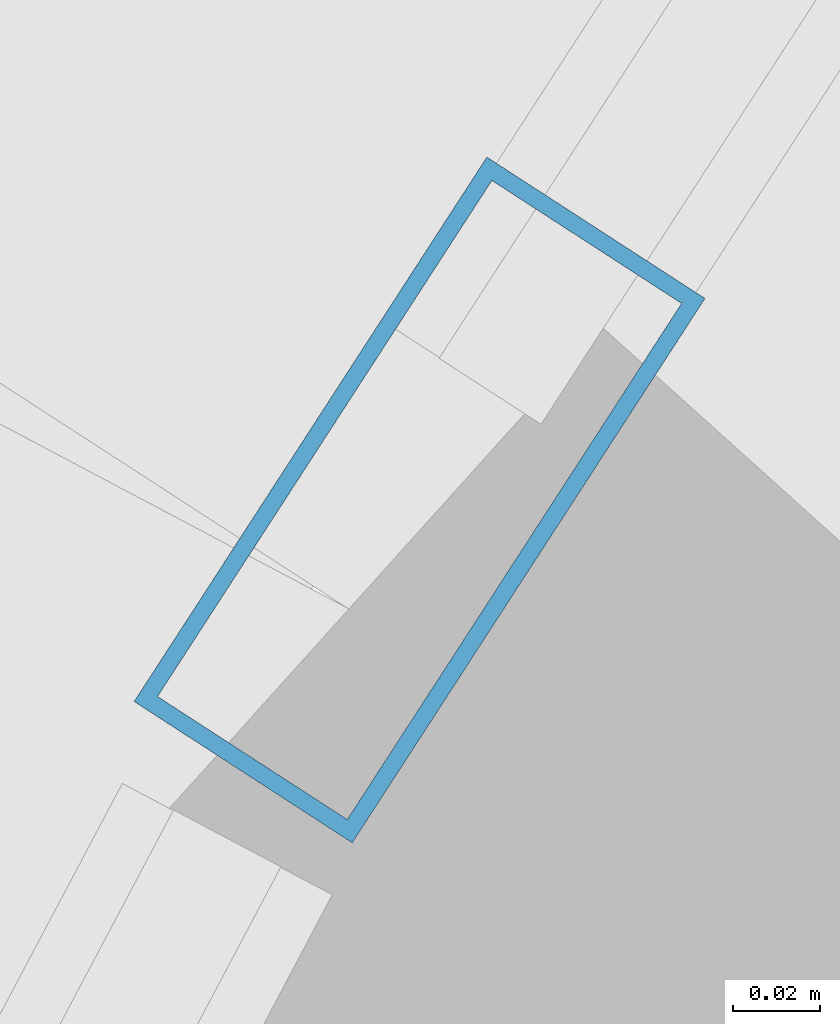
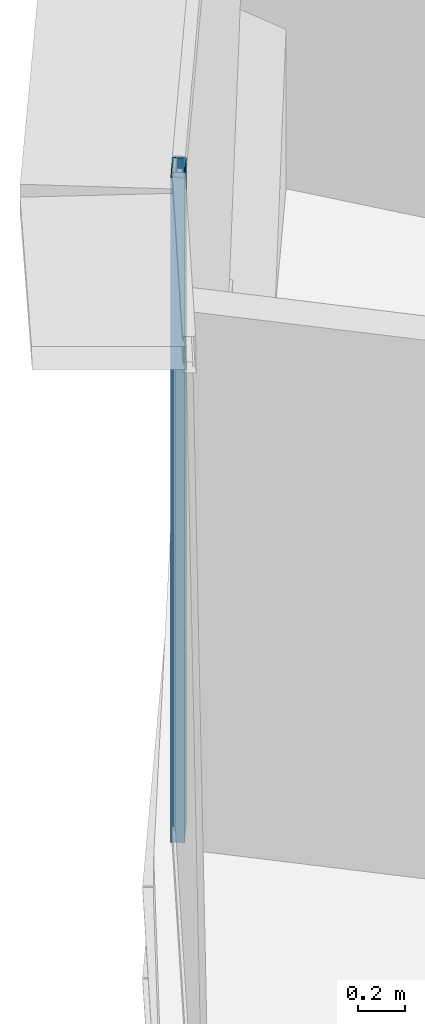
# One storey, part 16 of 42: 1 member, 1 element without a shape of its own.
"""IFC4 building model written with IfcOpenShell, lengths in metres."""

from ifc_helpers import new_model, si_unit, direction, frame, origin, origin_2d, place, context, subcontext, project, spatial, hollow_rectangle, extrude, source, transform, mapped, material, layer, layer_set, material_profile, profile_set, type_object, element, aggregate, save


model = new_model("IFC4")

# Units and contexts
model_context = context("Model", 3, precision=1e-05, world=origin(), true_north=direction((0.0, 1.0)))
body_context = subcontext(model_context, "Body", "Model", "MODEL_VIEW")
ifc_project = project(units=[si_unit("LENGTHUNIT", "METRE"), si_unit("AREAUNIT", "SQUARE_METRE"), si_unit("VOLUMEUNIT", "CUBIC_METRE"), si_unit("PLANEANGLEUNIT", "RADIAN"), si_unit("MASSUNIT", "GRAM", prefix="KILO"), si_unit("THERMODYNAMICTEMPERATUREUNIT", "KELVIN"), si_unit("POWERUNIT", "WATT")], contexts=[model_context])

# Site, building, storey
site_placement = place(None, origin())
site = spatial("IfcSite", under=ifc_project, at=site_placement, CompositionType="ELEMENT")
building_placement = place(site_placement, origin())
building = spatial("IfcBuilding", under=site, at=building_placement, Name="Yunzhuo Pagoda Commons", CompositionType="ELEMENT")
storey_placement = place(building_placement, frame((0.0, 0.0, 133.510009765625)))
storey = spatial("IfcBuildingStorey", under=building, at=storey_placement, Name="L33", CompositionType="ELEMENT", Elevation=133.510009765625)

# Curtain wall, member
ifc_material = material(Name="Anodized aluminium 6063-T6", Category="aluminium")
ifc_layer = layer(ifc_material, 0.14990234375)
ifc_layer_set = layer_set([ifc_layer], Name="Anodized aluminium 6063-T6")
curtain_wall_type = type_object("IfcCurtainWallType", Name="CW-MID Mid-Zone Ribbon Curtain Wall", PredefinedType="NOTDEFINED", material=ifc_layer_set)
curtain_wall_placement = place(storey_placement, origin())
curtain_wall = element("IfcCurtainWall", 1, at=curtain_wall_placement, inside=storey, type_object=curtain_wall_type, Name="L33 curtain wall CW-L33-F3B2", PredefinedType="NOTDEFINED")
ifc_material_profile = material_profile(ifc_material, hollow_rectangle(XDim=0.06005859375, YDim=0.14990234375, WallThickness=0.00390625, at=origin_2d()), Name="Anodized aluminium 6063-T6")
ifc_profile_set = profile_set([ifc_material_profile], Name="Anodized aluminium 6063-T6")
member_type = type_object("IfcMemberType", Name="CW-MID-M Mullion RHS 150x60x4", PredefinedType="MULLION", material=ifc_profile_set)
shared_shape = source(origin(), body_context, "Body", "SweptSolid", [
    extrude(hollow_rectangle(XDim=0.06005859375, YDim=0.14990234375, WallThickness=0.00390625, at=origin_2d()), origin(), (0.0, 0.0, 1.0), 3.419921875),
])
member_placement = place(storey_placement, frame((22.842529296875, 56.391845703125, 0.0), z_axis=(0.0, 0.0, 1.0), x_axis=(0.839249165596, -0.543747034977, 0.0)))
member = element("IfcMember", 2, at=member_placement, type_object=member_type, Name="CW mullion 2", PredefinedType="MULLION", context=body_context, shape_type="MappedRepresentation", body=[
    mapped(shared_shape, transform((0.0, 0.0, 0.0), scale=1.0)),
])
aggregate(curtain_wall, [member])

save(model, "model.ifc")
